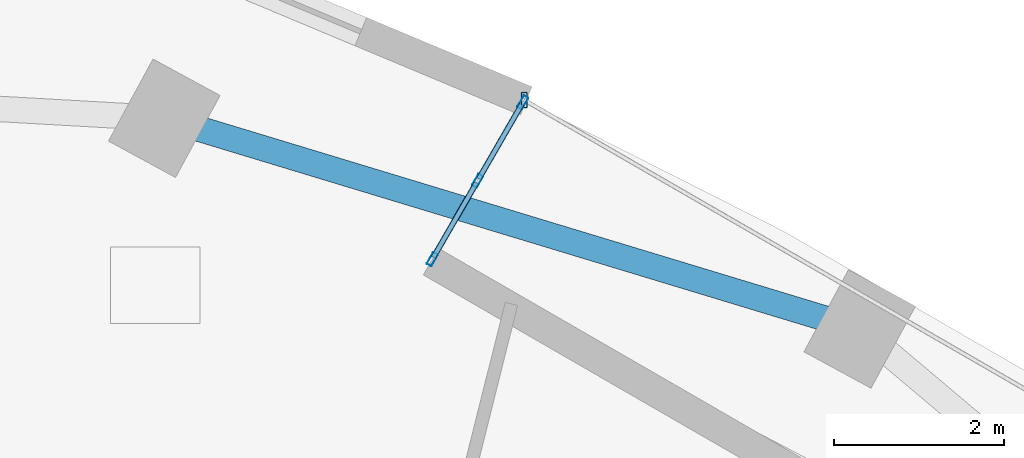
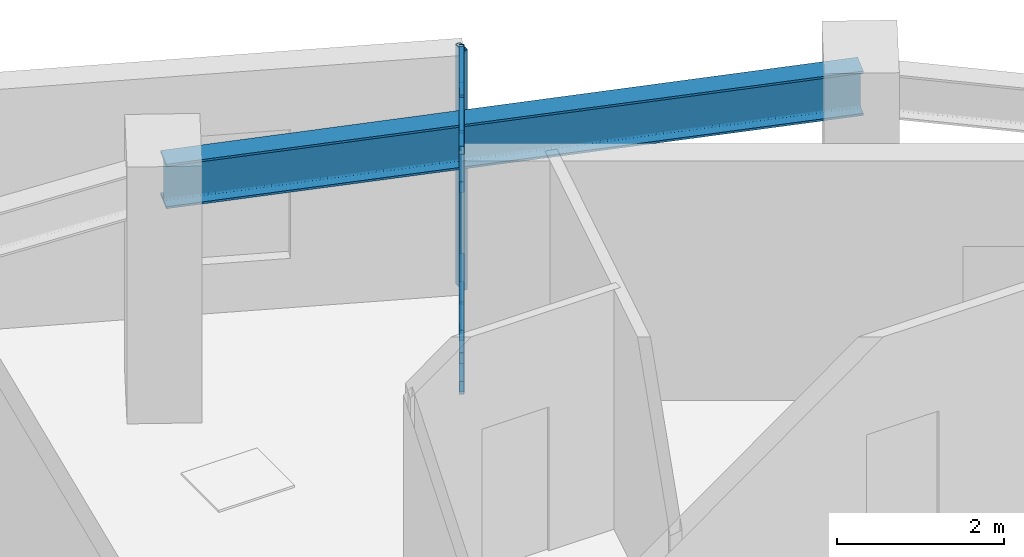
# One storey, part 4 of 13: 12 members, 1 beam, 1 element without a shape of its own.
"""IFC4 building model written with IfcOpenShell, lengths in metres."""

from ifc_helpers import new_model, si_unit, direction, frame, origin, origin_2d, place, context, subcontext, project, spatial, hollow_rectangle, i_section, extrude, material, layer, layer_set, material_profile, profile_set, type_object, element, aggregate, save


model = new_model("IFC4")

# Units and contexts
model_context = context("Model", 3, precision=1e-05, world=origin(), true_north=direction((0.0, 1.0)))
body_context = subcontext(model_context, "Body", "Model", "MODEL_VIEW")
ifc_project = project(units=[si_unit("LENGTHUNIT", "METRE"), si_unit("AREAUNIT", "SQUARE_METRE"), si_unit("VOLUMEUNIT", "CUBIC_METRE"), si_unit("PLANEANGLEUNIT", "RADIAN"), si_unit("MASSUNIT", "GRAM", prefix="KILO")], contexts=[model_context])

# Site, building, storey
site_placement = place(None, origin())
site = spatial("IfcSite", under=ifc_project, at=site_placement, CompositionType="ELEMENT")
building_placement = place(site_placement, origin())
building = spatial("IfcBuilding", under=site, at=building_placement, Name="Ndelora Gate Hotel", CompositionType="ELEMENT")
storey_placement = place(building_placement, frame((0.0, 0.0, 123.5)))
storey = spatial("IfcBuildingStorey", under=building, at=storey_placement, Name="L30", CompositionType="ELEMENT", Elevation=123.5)

# Beam
ifc_material_1 = material(Name="Steel S355", Category="steel")
ifc_material_profile_1 = material_profile(ifc_material_1, i_section(OverallWidth=0.300048828125, OverallDepth=0.64990234375, WebThickness=0.01611328125, FlangeThickness=0.031005859375, FilletRadius=0.027099609375, at=origin_2d()), Name="HEB 650")
ifc_profile_set_1 = profile_set([ifc_material_profile_1], Name="Steel S355")
beam_type = type_object("IfcBeamType", Name="BM-RING-650", PredefinedType="SPANDREL", material=ifc_profile_set_1)
beam_placement = place(storey_placement, frame((7.759033203125, 14.290283203125, 3.175048828125), z_axis=(-0.957030396662, 0.289987620192, 0.0), x_axis=(-0.289987620192, -0.957030396662, 0.0)))
element("IfcBeam", 1, at=beam_placement, inside=storey, type_object=beam_type, Name="L30 Perimeter Spandrel Girder 11", PredefinedType="SPANDREL", context=body_context, shape_type="SweptSolid", body=[
    extrude(i_section(OverallWidth=0.300048828125, OverallDepth=0.64990234375, WebThickness=0.01611328125, FlangeThickness=0.031005859375, FilletRadius=0.027099609375, at=origin_2d()), origin(), (0.0, 0.0, 1.0), 8.56640625),
])

# Curtain wall, members
ifc_material_2 = material(Name="Bronze Anodised Unitised Aluminium and Low-E Glass", Category="aluminium")
ifc_layer = layer(ifc_material_2, 0.199951171875)
ifc_layer_set = layer_set([ifc_layer], Name="Bronze Anodised Unitised Aluminium and Low-E Glass")
curtain_wall_type = type_object("IfcCurtainWallType", Name="CW-SYS-3", PredefinedType="NOTDEFINED", material=ifc_layer_set)
curtain_wall_placement = place(storey_placement, origin())
curtain_wall = element("IfcCurtainWall", 2, at=curtain_wall_placement, inside=storey, type_object=curtain_wall_type, Name="L30 Sky-Garden Loggia Side Curtain Wall CW3-2", PredefinedType="NOTDEFINED")
ifc_material_3 = material(Name="Bronze Anodised Aluminium 6063-T6", Category="aluminium")
ifc_material_profile_2 = material_profile(ifc_material_3, hollow_rectangle(XDim=0.06494140625, YDim=0.159912109375, WallThickness=0.00390625, InnerFilletRadius=0.00390625, OuterFilletRadius=0.008056640625, at=origin_2d()), Name="ALU 160x65x4")
ifc_profile_set_2 = profile_set([ifc_material_profile_2], Name="Bronze Anodised Aluminium 6063-T6")
member_type_1 = type_object("IfcMemberType", Name="MB-CW-MUL150", PredefinedType="MULLION", material=ifc_profile_set_2)
member_1_placement = place(storey_placement, frame((3.788330078125, 16.96142578125, -0.00390625), z_axis=(0.0, 0.0, 1.0), x_axis=(0.866019052627, -0.500011000366, 0.0)))
member_1 = element("IfcMember", 3, at=member_1_placement, type_object=member_type_1, Name="CW3 mullion 1", PredefinedType="MULLION", context=body_context, shape_type="SweptSolid", body=[
    extrude(hollow_rectangle(XDim=0.06494140625, YDim=0.159912109375, WallThickness=0.00390625, InnerFilletRadius=0.00390625, OuterFilletRadius=0.008056640625, at=origin_2d()), origin(), (0.0, 0.0, 1.0), 3.5078125),
])
member_2_placement = place(storey_placement, frame((3.25439453125, 16.036865234375, -0.00390625), z_axis=(0.0, 0.0, 1.0), x_axis=(0.866019052627, -0.500011000366, 0.0)))
member_2 = element("IfcMember", 4, at=member_2_placement, type_object=member_type_1, Name="CW3 mullion 2", PredefinedType="MULLION", context=body_context, shape_type="SweptSolid", body=[
    extrude(hollow_rectangle(XDim=0.06494140625, YDim=0.159912109375, WallThickness=0.00390625, InnerFilletRadius=0.00390625, OuterFilletRadius=0.008056640625, at=origin_2d()), origin(), (0.0, 0.0, 1.0), 3.5078125),
])
member_3_placement = place(storey_placement, frame((2.720703125, 15.112548828125, -0.00390625), z_axis=(0.0, 0.0, 1.0), x_axis=(0.866019052627, -0.500011000366, 0.0)))
member_3 = element("IfcMember", 5, at=member_3_placement, type_object=member_type_1, Name="CW3 mullion 3", PredefinedType="MULLION", context=body_context, shape_type="SweptSolid", body=[
    extrude(hollow_rectangle(XDim=0.06494140625, YDim=0.159912109375, WallThickness=0.00390625, InnerFilletRadius=0.00390625, OuterFilletRadius=0.008056640625, at=origin_2d()), origin(), (0.0, 0.0, 1.0), 3.5078125),
])
ifc_material_profile_3 = material_profile(ifc_material_3, hollow_rectangle(XDim=0.070068359375, YDim=0.179931640625, WallThickness=0.0048828125, InnerFilletRadius=0.0048828125, OuterFilletRadius=0.010009765625, at=origin_2d()), Name="ALU 180x70x5")
ifc_profile_set_3 = profile_set([ifc_material_profile_3], Name="Bronze Anodised Aluminium 6063-T6")
member_type_2 = type_object("IfcMemberType", Name="MB-CW-MUL180", PredefinedType="MULLION", material=ifc_profile_set_3)
member_4_placement = place(storey_placement, frame((3.804443359375, 16.989501953125, 0.0), z_axis=(0.0, 0.0, 1.0), x_axis=(1.0, 0.0, 0.0)))
member_4 = element("IfcMember", 6, at=member_4_placement, type_object=member_type_2, Name="L30 Sky-Garden Loggia Corner Mullion Post 2", PredefinedType="MULLION", context=body_context, shape_type="SweptSolid", body=[
    extrude(hollow_rectangle(XDim=0.070068359375, YDim=0.179931640625, WallThickness=0.0048828125, InnerFilletRadius=0.0048828125, OuterFilletRadius=0.010009765625, at=origin_2d()), origin(), (0.0, 0.0, 1.0), 3.5),
])
ifc_material_profile_4 = material_profile(ifc_material_3, hollow_rectangle(XDim=0.06494140625, YDim=0.159912109375, WallThickness=0.00390625, InnerFilletRadius=0.00390625, OuterFilletRadius=0.008056640625, at=origin_2d()), Name="ALU 160x65x4")
ifc_profile_set_4 = profile_set([ifc_material_profile_4], Name="Bronze Anodised Aluminium 6063-T6")
member_type_3 = type_object("IfcMemberType", Name="MB-CW-TRN150", PredefinedType="USERDEFINED", material=ifc_profile_set_4)
member_5_placement = place(storey_placement, frame((3.77490234375, 16.9384765625, 0.032470703125), z_axis=(-0.499840506035, -0.866117468088, 0.0), x_axis=(0.866117468088, -0.499840506035, 0.0)))
member_5 = element("IfcMember", 7, at=member_5_placement, type_object=member_type_3, Name="CW3 transom 1.1", ObjectType="TRANSOM", PredefinedType="USERDEFINED", context=body_context, shape_type="SweptSolid", body=[
    extrude(hollow_rectangle(XDim=0.06494140625, YDim=0.159912109375, WallThickness=0.00390625, InnerFilletRadius=0.00390625, OuterFilletRadius=0.008056640625, at=origin_2d()), origin(), (0.0, 0.0, 1.0), 1.014404296875),
])
member_6_placement = place(storey_placement, frame((3.77490234375, 16.9384765625, 0.449951171875), z_axis=(-0.499840506035, -0.866117468088, 0.0), x_axis=(0.866117468088, -0.499840506035, 0.0)))
member_6 = element("IfcMember", 8, at=member_6_placement, type_object=member_type_3, Name="CW3 transom 1.2", ObjectType="TRANSOM", PredefinedType="USERDEFINED", context=body_context, shape_type="SweptSolid", body=[
    extrude(hollow_rectangle(XDim=0.06494140625, YDim=0.159912109375, WallThickness=0.00390625, InnerFilletRadius=0.00390625, OuterFilletRadius=0.008056640625, at=origin_2d()), origin(), (0.0, 0.0, 1.0), 1.014404296875),
])
member_7_placement = place(storey_placement, frame((3.77490234375, 16.9384765625, 2.949951171875), z_axis=(-0.499840506035, -0.866117468088, 0.0), x_axis=(0.866117468088, -0.499840506035, 0.0)))
member_7 = element("IfcMember", 9, at=member_7_placement, type_object=member_type_3, Name="CW3 transom 1.3", ObjectType="TRANSOM", PredefinedType="USERDEFINED", context=body_context, shape_type="SweptSolid", body=[
    extrude(hollow_rectangle(XDim=0.06494140625, YDim=0.159912109375, WallThickness=0.00390625, InnerFilletRadius=0.00390625, OuterFilletRadius=0.008056640625, at=origin_2d()), origin(), (0.0, 0.0, 1.0), 1.014404296875),
])
member_8_placement = place(storey_placement, frame((3.77490234375, 16.9384765625, 3.467529296875), z_axis=(-0.499840506035, -0.866117468088, 0.0), x_axis=(0.866117468088, -0.499840506035, 0.0)))
member_8 = element("IfcMember", 10, at=member_8_placement, type_object=member_type_3, Name="CW3 transom 1.4", ObjectType="TRANSOM", PredefinedType="USERDEFINED", context=body_context, shape_type="SweptSolid", body=[
    extrude(hollow_rectangle(XDim=0.06494140625, YDim=0.159912109375, WallThickness=0.00390625, InnerFilletRadius=0.00390625, OuterFilletRadius=0.008056640625, at=origin_2d()), origin(), (0.0, 0.0, 1.0), 1.014404296875),
])
member_9_placement = place(storey_placement, frame((3.2412109375, 16.013916015625, 0.032470703125), z_axis=(-0.50012521828, -0.865953096906, 0.0), x_axis=(0.865953096906, -0.50012521828, 0.0)))
member_9 = element("IfcMember", 11, at=member_9_placement, type_object=member_type_3, Name="CW3 transom 2.1", ObjectType="TRANSOM", PredefinedType="USERDEFINED", context=body_context, shape_type="SweptSolid", body=[
    extrude(hollow_rectangle(XDim=0.06494140625, YDim=0.159912109375, WallThickness=0.00390625, InnerFilletRadius=0.00390625, OuterFilletRadius=0.008056640625, at=origin_2d()), origin(), (0.0, 0.0, 1.0), 1.014404296875),
])
member_10_placement = place(storey_placement, frame((3.2412109375, 16.013916015625, 0.449951171875), z_axis=(-0.50012521828, -0.865953096906, 0.0), x_axis=(0.865953096906, -0.50012521828, 0.0)))
member_10 = element("IfcMember", 12, at=member_10_placement, type_object=member_type_3, Name="CW3 transom 2.2", ObjectType="TRANSOM", PredefinedType="USERDEFINED", context=body_context, shape_type="SweptSolid", body=[
    extrude(hollow_rectangle(XDim=0.06494140625, YDim=0.159912109375, WallThickness=0.00390625, InnerFilletRadius=0.00390625, OuterFilletRadius=0.008056640625, at=origin_2d()), origin(), (0.0, 0.0, 1.0), 1.014404296875),
])
member_11_placement = place(storey_placement, frame((3.2412109375, 16.013916015625, 2.949951171875), z_axis=(-0.50012521828, -0.865953096906, 0.0), x_axis=(0.865953096906, -0.50012521828, 0.0)))
member_11 = element("IfcMember", 13, at=member_11_placement, type_object=member_type_3, Name="CW3 transom 2.3", ObjectType="TRANSOM", PredefinedType="USERDEFINED", context=body_context, shape_type="SweptSolid", body=[
    extrude(hollow_rectangle(XDim=0.06494140625, YDim=0.159912109375, WallThickness=0.00390625, InnerFilletRadius=0.00390625, OuterFilletRadius=0.008056640625, at=origin_2d()), origin(), (0.0, 0.0, 1.0), 1.014404296875),
])
member_12_placement = place(storey_placement, frame((3.2412109375, 16.013916015625, 3.467529296875), z_axis=(-0.50012521828, -0.865953096906, 0.0), x_axis=(0.865953096906, -0.50012521828, 0.0)))
member_12 = element("IfcMember", 14, at=member_12_placement, type_object=member_type_3, Name="CW3 transom 2.4", ObjectType="TRANSOM", PredefinedType="USERDEFINED", context=body_context, shape_type="SweptSolid", body=[
    extrude(hollow_rectangle(XDim=0.06494140625, YDim=0.159912109375, WallThickness=0.00390625, InnerFilletRadius=0.00390625, OuterFilletRadius=0.008056640625, at=origin_2d()), origin(), (0.0, 0.0, 1.0), 1.014404296875),
])
aggregate(curtain_wall, [member_1, member_2, member_3, member_5, member_6, member_7, member_8, member_9, member_10, member_11, member_12, member_4])

save(model, "model.ifc")
